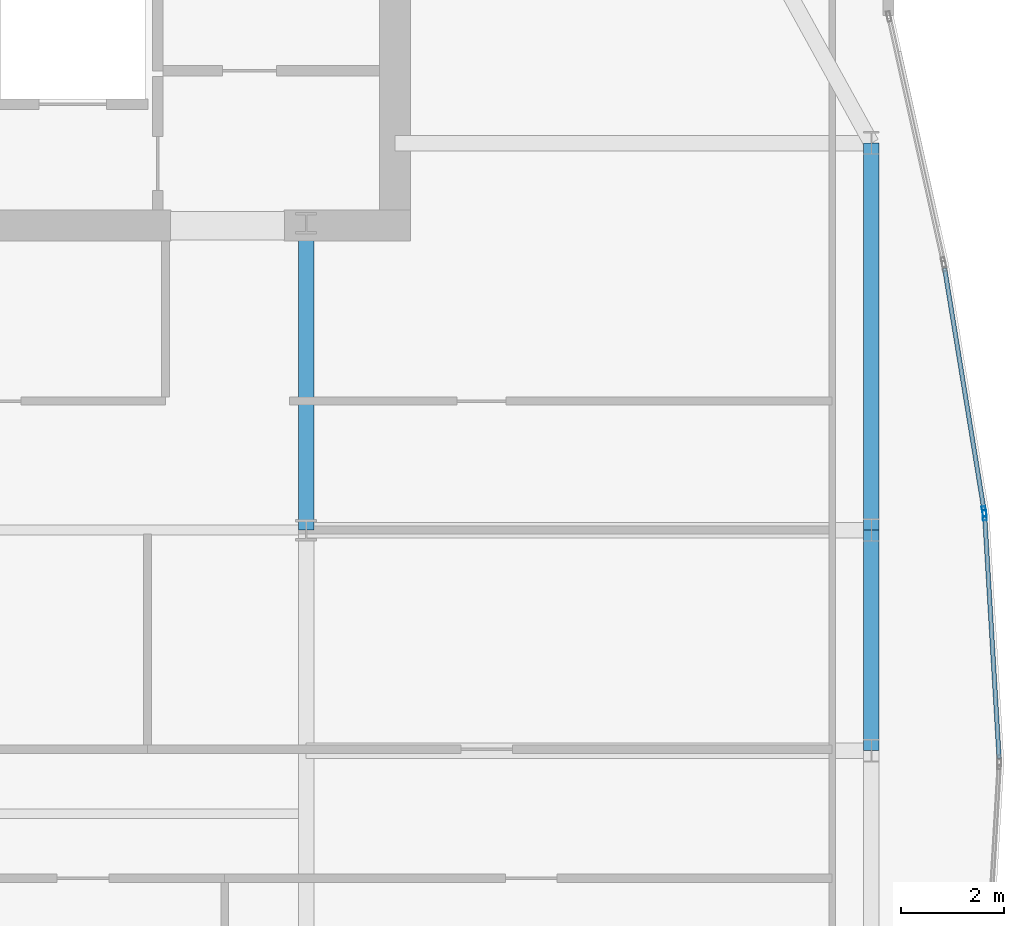
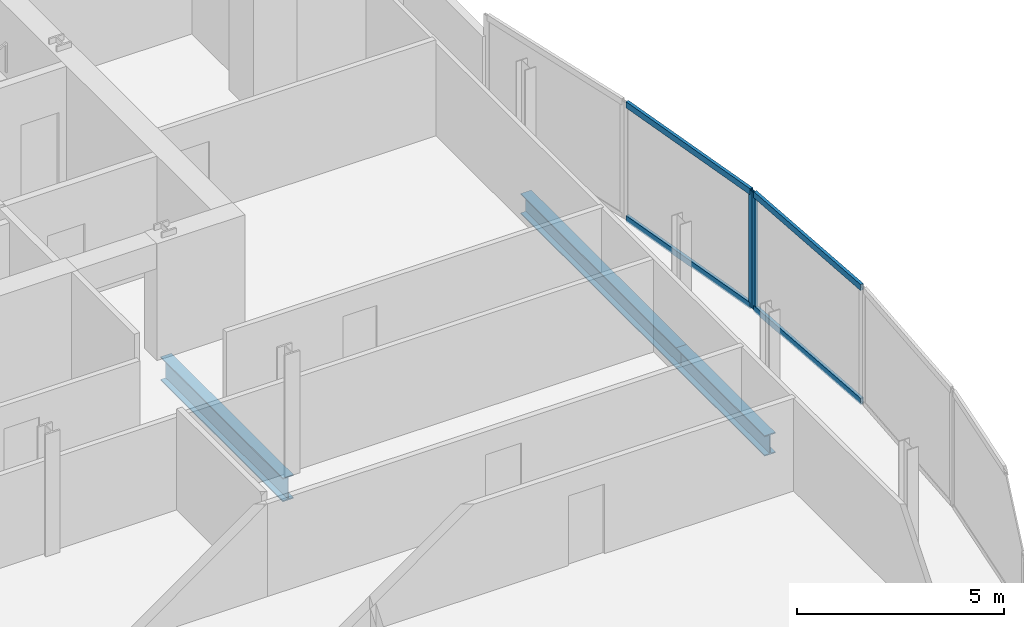
# One storey, part 19 of 30: 6 members, 3 beams, 2 elements without a shape of their own.
"""IFC4 building model written with IfcOpenShell, lengths in metres."""

from ifc_helpers import new_model, si_unit, direction, frame, origin, origin_2d, place, context, subcontext, project, spatial, hollow_rectangle, i_section, extrude, material, material_profile, profile_set, type_object, element, aggregate, save


model = new_model("IFC4")

# Units and contexts
model_context = context("Model", 3, precision=1e-05, world=origin(), true_north=direction((0.0, 1.0)))
body_context = subcontext(model_context, "Body", "Model", "MODEL_VIEW")
ifc_project = project(units=[si_unit("LENGTHUNIT", "METRE"), si_unit("AREAUNIT", "SQUARE_METRE"), si_unit("VOLUMEUNIT", "CUBIC_METRE"), si_unit("PLANEANGLEUNIT", "RADIAN"), si_unit("MASSUNIT", "GRAM", prefix="KILO")], contexts=[model_context])

# Site, building, storey
site_placement = place(None, origin())
site = spatial("IfcSite", under=ifc_project, at=site_placement, CompositionType="ELEMENT")
building_placement = place(site_placement, origin())
building = spatial("IfcBuilding", under=site, at=building_placement, Name="Khoronbel Lancet Exchange", CompositionType="ELEMENT")
storey_placement = place(building_placement, frame((0.0, 0.0, 213.800048828125)))
storey = spatial("IfcBuildingStorey", under=building, at=storey_placement, Name="L54", CompositionType="ELEMENT", Elevation=213.800048828125)

# Beams
ifc_material_1 = material(Name="Steel S355", Category="steel")
ifc_material_profile_1 = material_profile(ifc_material_1, i_section(OverallWidth=0.300048828125, OverallDepth=0.699951171875, WebThickness=0.01708984375, FlangeThickness=0.031982421875, at=origin_2d()), Name="HEB 700")
ifc_profile_set_1 = profile_set([ifc_material_profile_1], Name="Steel S355")
beam_type_1 = type_object("IfcBeamType", Name="BM-BG3", PredefinedType="BEAM", material=ifc_profile_set_1)
beam_1_placement = place(storey_placement, frame((54.675048828125, 35.699951171875, -0.510009765625), z_axis=(0.0, 1.0, 0.0), x_axis=(-1.0, 0.0, 0.0)))
element("IfcBeam", 1, at=beam_1_placement, inside=storey, type_object=beam_type_1, Name="Level L54 spine tie girder GN6", PredefinedType="BEAM", context=body_context, shape_type="SweptSolid", body=[
    extrude(i_section(OverallWidth=0.300048828125, OverallDepth=0.699951171875, WebThickness=0.01708984375, FlangeThickness=0.031982421875, at=origin_2d()), origin(), (0.0, 0.0, 1.0), 5.900146484375),
])
ifc_material_profile_2 = material_profile(ifc_material_1, i_section(OverallWidth=0.300048828125, OverallDepth=0.60009765625, WebThickness=0.015380859375, FlangeThickness=0.030029296875, at=origin_2d()), Name="HEB 600")
ifc_profile_set_2 = profile_set([ifc_material_profile_2], Name="Steel S355")
beam_type_2 = type_object("IfcBeamType", Name="BM-BSP2", PredefinedType="SPANDREL", material=ifc_profile_set_2)
beam_2_placement = place(storey_placement, frame((65.6298828125, 31.425048828125, -0.4599609375), z_axis=(0.0, 1.0, 0.0), x_axis=(-1.0, 0.0, 0.0)))
element("IfcBeam", 2, at=beam_2_placement, inside=storey, type_object=beam_type_2, Name="Level L54 perimeter spandrel beam SP13", PredefinedType="SPANDREL", context=body_context, shape_type="SweptSolid", body=[
    extrude(i_section(OverallWidth=0.300048828125, OverallDepth=0.60009765625, WebThickness=0.015380859375, FlangeThickness=0.030029296875, at=origin_2d()), origin(), (0.0, 0.0, 1.0), 4.27490234375),
])
beam_3_placement = place(storey_placement, frame((65.6298828125, 35.699951171875, -0.4599609375), z_axis=(0.0, 1.0, 0.0), x_axis=(-1.0, 0.0, 0.0)))
element("IfcBeam", 3, at=beam_3_placement, inside=storey, type_object=beam_type_2, Name="Level L54 perimeter spandrel beam SP14", PredefinedType="SPANDREL", context=body_context, shape_type="SweptSolid", body=[
    extrude(i_section(OverallWidth=0.300048828125, OverallDepth=0.60009765625, WebThickness=0.015380859375, FlangeThickness=0.030029296875, at=origin_2d()), origin(), (0.0, 0.0, 1.0), 7.5),
])

# Curtain wall, member
ifc_material_2 = material(Name="Low-E Solar Control Insulating Glass", Category="glass")
curtain_wall_type = type_object("IfcCurtainWallType", Name="CW-4", PredefinedType="NOTDEFINED", material=ifc_material_2)
curtain_wall_1_placement = place(storey_placement, origin())
curtain_wall_1 = element("IfcCurtainWall", 4, at=curtain_wall_1_placement, inside=storey, type_object=curtain_wall_type, Name="Unitised curtain wall CW-L54-E18", PredefinedType="NOTDEFINED")
ifc_material_3 = material(Name="Bronze-Anodised Aluminium 6063-T6", Category="aluminium")
ifc_material_profile_3 = material_profile(ifc_material_3, hollow_rectangle(XDim=0.074951171875, YDim=0.199951171875, WallThickness=0.0048828125, at=origin_2d()), Name="ALU MULLION 75x200")
ifc_profile_set_3 = profile_set([ifc_material_profile_3], Name="Bronze-Anodised Aluminium 6063-T6")
member_type_1 = type_object("IfcMemberType", Name="MEM-CWM2", PredefinedType="MULLION", material=ifc_profile_set_3)
member_1_placement = place(storey_placement, frame((67.81640625, 36.060302734375, 0.0), z_axis=(0.0, 0.0, 1.0), x_axis=(0.987003272186, 0.16070015773, 0.0)))
member_1 = element("IfcMember", 5, at=member_1_placement, type_object=member_type_1, Name="CW4 mullion 2", PredefinedType="MULLION", context=body_context, shape_type="SweptSolid", body=[
    extrude(hollow_rectangle(XDim=0.074951171875, YDim=0.199951171875, WallThickness=0.0048828125, at=origin_2d()), origin(), (0.0, 0.0, 1.0), 3.43994140625),
])

curtain_wall_2_placement = place(storey_placement, origin())
curtain_wall_2 = element("IfcCurtainWall", 6, at=curtain_wall_2_placement, inside=storey, type_object=curtain_wall_type, Name="Unitised curtain wall CW-L54-E19", PredefinedType="NOTDEFINED")
member_2_placement = place(storey_placement, frame((67.82470703125, 35.986083984375, 0.0), z_axis=(0.0, 0.0, 1.0), x_axis=(0.998229555001, 0.059479034311, 0.0)))
member_2 = element("IfcMember", 7, at=member_2_placement, type_object=member_type_1, Name="CW4 mullion 1", PredefinedType="MULLION", context=body_context, shape_type="SweptSolid", body=[
    extrude(hollow_rectangle(XDim=0.074951171875, YDim=0.199951171875, WallThickness=0.0048828125, at=origin_2d()), origin(), (0.0, 0.0, 1.0), 3.43994140625),
])

# Member
ifc_material_profile_4 = material_profile(ifc_material_3, hollow_rectangle(XDim=0.0849609375, YDim=0.179931640625, WallThickness=0.0048828125, at=origin_2d()), Name="ALU TRANSOM 85x180")
ifc_profile_set_4 = profile_set([ifc_material_profile_4], Name="Bronze-Anodised Aluminium 6063-T6")
member_type_2 = type_object("IfcMemberType", Name="MEM-CWT1", PredefinedType="USERDEFINED", material=ifc_profile_set_4)
member_3_placement = place(storey_placement, frame((67.048583984375, 40.775634765625, 0.04248046875), z_axis=(0.16070594252, -0.987002330311, 0.0), x_axis=(0.987002330311, 0.16070594252, 0.0)))
member_3 = element("IfcMember", 8, at=member_3_placement, type_object=member_type_2, Name="CW4 transom 1.1", ObjectType="TRANSOM", PredefinedType="USERDEFINED", context=body_context, shape_type="SweptSolid", body=[
    extrude(hollow_rectangle(XDim=0.0849609375, YDim=0.179931640625, WallThickness=0.0048828125, at=origin_2d()), origin(), (0.0, 0.0, 1.0), 4.73974609375),
])

member_4_placement = place(storey_placement, frame((67.048583984375, 40.775634765625, 3.3974609375), z_axis=(0.16070594252, -0.987002330311, 0.0), x_axis=(0.987002330311, 0.16070594252, 0.0)))
member_4 = element("IfcMember", 9, at=member_4_placement, type_object=member_type_2, Name="CW4 transom 1.2", ObjectType="TRANSOM", PredefinedType="USERDEFINED", context=body_context, shape_type="SweptSolid", body=[
    extrude(hollow_rectangle(XDim=0.0849609375, YDim=0.179931640625, WallThickness=0.0048828125, at=origin_2d()), origin(), (0.0, 0.0, 1.0), 4.73974609375),
])

aggregate(curtain_wall_1, [member_1, member_3, member_4])

member_5_placement = place(storey_placement, frame((67.826904296875, 35.948486328125, 0.04248046875), z_axis=(0.059446476708, -0.998231494397, 0.0), x_axis=(0.998231494397, 0.059446476708, 0.0)))
member_5 = element("IfcMember", 10, at=member_5_placement, type_object=member_type_2, Name="CW4 transom 1.1", ObjectType="TRANSOM", PredefinedType="USERDEFINED", context=body_context, shape_type="SweptSolid", body=[
    extrude(hollow_rectangle(XDim=0.0849609375, YDim=0.179931640625, WallThickness=0.0048828125, at=origin_2d()), origin(), (0.0, 0.0, 1.0), 4.681884765625),
])

member_6_placement = place(storey_placement, frame((67.826904296875, 35.948486328125, 3.3974609375), z_axis=(0.059446476708, -0.998231494397, 0.0), x_axis=(0.998231494397, 0.059446476708, 0.0)))
member_6 = element("IfcMember", 11, at=member_6_placement, type_object=member_type_2, Name="CW4 transom 1.2", ObjectType="TRANSOM", PredefinedType="USERDEFINED", context=body_context, shape_type="SweptSolid", body=[
    extrude(hollow_rectangle(XDim=0.0849609375, YDim=0.179931640625, WallThickness=0.0048828125, at=origin_2d()), origin(), (0.0, 0.0, 1.0), 4.681884765625),
])

aggregate(curtain_wall_2, [member_2, member_5, member_6])

save(model, "model.ifc")
